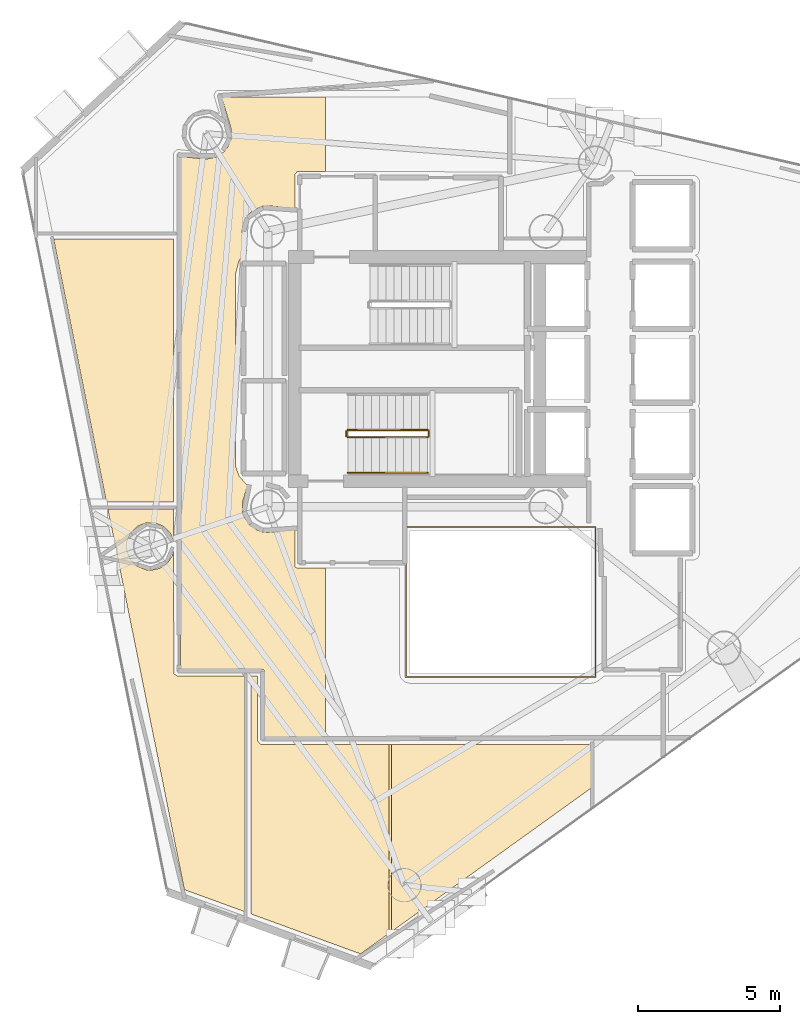
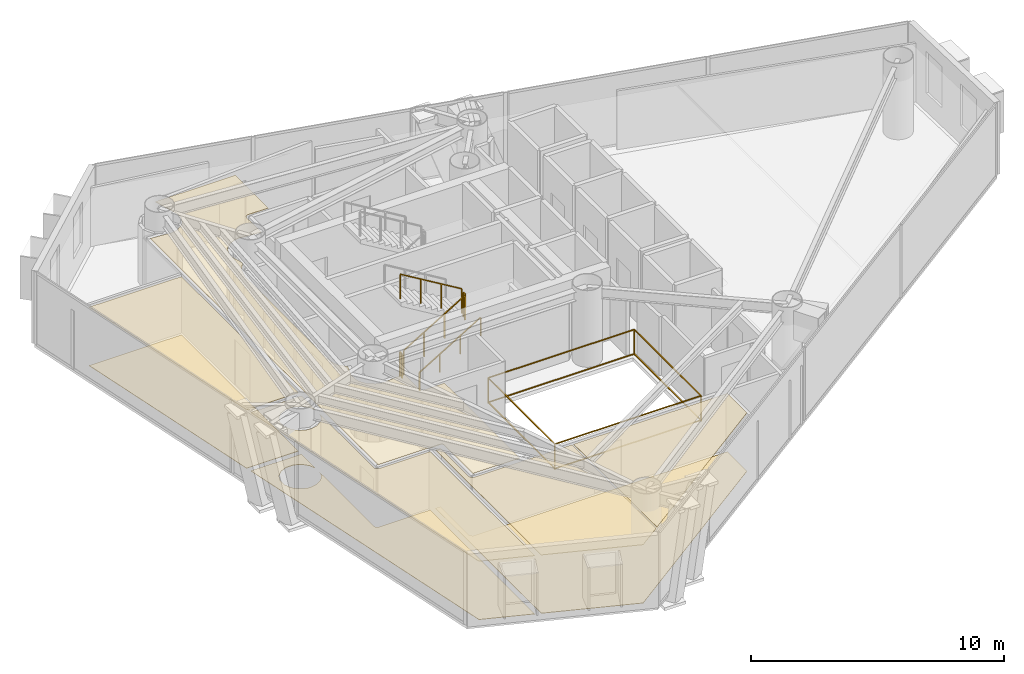
# One storey, part 20 of 22: 8 coverings, 6 railings.
"""IFC4 building model written with IfcOpenShell, lengths in metres."""

from ifc_helpers import new_model, si_unit, direction, frame, origin, origin_2d, place, context, subcontext, project, spatial, polyline, rectangle, outline, extrude, material, layer, layer_set, type_object, element, save


model = new_model("IFC4")

# Units and contexts
model_context = context("Model", 3, precision=1e-05, world=origin(), true_north=direction((0.0, 1.0)))
body_context = subcontext(model_context, "Body", "Model", "MODEL_VIEW")
ifc_project = project(units=[si_unit("LENGTHUNIT", "METRE"), si_unit("AREAUNIT", "SQUARE_METRE"), si_unit("VOLUMEUNIT", "CUBIC_METRE"), si_unit("PLANEANGLEUNIT", "RADIAN"), si_unit("MASSUNIT", "GRAM", prefix="KILO")], contexts=[model_context])

# Site, building, storey
site_placement = place(None, origin())
site = spatial("IfcSite", under=ifc_project, at=site_placement, CompositionType="ELEMENT")
building_placement = place(site_placement, origin())
building = spatial("IfcBuilding", under=site, at=building_placement, Name="Qianvela Tower", CompositionType="ELEMENT")
storey_placement = place(building_placement, frame((0.0, 0.0, 204.0)))
storey = spatial("IfcBuildingStorey", under=building, at=storey_placement, Name="L52", CompositionType="ELEMENT", Elevation=204.0)

# Coverings
ifc_material_1 = material(Name="Perforated Mineral Acoustic Ceiling Tile")
ifc_layer_1 = layer(ifc_material_1, 0.02490234375)
ifc_layer_set_1 = layer_set([ifc_layer_1], Name="Perforated Mineral Acoustic Ceiling Tile")
covering_type_1 = type_object("IfcCoveringType", Name="COV-CEIL-ACOUSTIC-25", PredefinedType="CEILING", material=ifc_layer_set_1)
covering_1_placement = place(storey_placement, frame((0.0, 0.0, 2.81494140625)))
element("IfcCovering", 1, at=covering_1_placement, inside=storey, type_object=covering_type_1, Name="L52 Acoustic Ceiling Bay 1 L52 Floor Corridor", PredefinedType="CEILING", context=body_context, shape_type="SweptSolid", body=[
    extrude(outline(polyline([(27.311767578125, 36.808837890625), (27.313720703125, 36.81640625), (27.31494140625, 36.82421875), (27.315185546875, 36.83203125), (27.315185546875, 37.152099609375), (27.31494140625, 37.159912109375), (27.313720703125, 37.16748046875), (27.311767578125, 37.17529296875), (26.979736328125, 38.27001953125), (30.634765625, 38.27001953125), (30.634765625, 35.658203125), (29.68798828125, 35.660888671875), (29.680419921875, 35.660400390625), (29.672607421875, 35.6591796875), (29.664794921875, 35.657470703125), (29.657470703125, 35.65478515625), (29.650390625, 35.6513671875), (29.6435546875, 35.6474609375), (29.63720703125, 35.642578125), (29.63134765625, 35.637451171875), (29.626220703125, 35.631591796875), (29.576171875, 35.57080078125), (29.571533203125, 35.564453125), (29.5673828125, 35.5576171875), (29.564208984375, 35.550537109375), (29.561279296875, 35.543212890625), (29.5595703125, 35.53564453125), (29.558349609375, 35.52783203125), (29.55810546875, 35.52001953125), (29.55810546875, 34.35595703125), (28.60791015625, 34.44970703125), (28.60009765625, 34.449951171875), (28.59228515625, 34.44970703125), (28.43212890625, 34.433837890625), (28.42431640625, 34.4326171875), (28.416748046875, 34.430908203125), (28.409423828125, 34.42822265625), (28.11376953125, 34.3056640625), (28.106689453125, 34.302490234375), (28.10009765625, 34.29833984375), (28.09375, 34.293701171875), (28.087890625, 34.288330078125), (27.861572265625, 34.06201171875), (27.8564453125, 34.056396484375), (27.851806640625, 34.050048828125), (27.84765625, 34.043212890625), (27.84423828125, 34.0361328125), (27.7216796875, 33.740478515625), (27.71923828125, 33.733154296875), (27.71728515625, 33.7255859375), (27.716064453125, 33.7177734375), (27.700439453125, 33.557861328125), (27.699951171875, 33.550048828125), (27.700439453125, 33.542236328125), (27.716064453125, 33.382080078125), (27.71728515625, 33.37451171875), (27.71923828125, 33.36669921875), (27.865478515625, 32.884521484375), (27.60107421875, 32.52685546875), (27.5966796875, 32.5205078125), (27.593017578125, 32.513427734375), (27.590087890625, 32.50634765625), (27.587890625, 32.4990234375), (27.472412109375, 32.0458984375), (27.47119140625, 32.039306640625), (27.47021484375, 32.03271484375), (27.469970703125, 32.026123046875), (27.469970703125, 25.291259765625), (27.47021484375, 25.2841796875), (27.47119140625, 25.27734375), (27.47265625, 25.2705078125), (27.474853515625, 25.263916015625), (27.59326171875, 24.938232421875), (27.59619140625, 24.93115234375), (27.599853515625, 24.92431640625), (27.604248046875, 24.91796875), (27.609130859375, 24.911865234375), (27.89111328125, 24.599853515625), (27.71923828125, 24.033203125), (27.71728515625, 24.025634765625), (27.716064453125, 24.017822265625), (27.7158203125, 24.010009765625), (27.7158203125, 23.68994140625), (27.716064453125, 23.68212890625), (27.71728515625, 23.67431640625), (27.71923828125, 23.666748046875), (27.765869140625, 23.512939453125), (27.7685546875, 23.505615234375), (27.77197265625, 23.49853515625), (27.77587890625, 23.49169921875), (27.95361328125, 23.2255859375), (27.958251953125, 23.219482421875), (27.963623046875, 23.213623046875), (27.969482421875, 23.208251953125), (27.9755859375, 23.20361328125), (28.24169921875, 23.02587890625), (28.24853515625, 23.02197265625), (28.255615234375, 23.0185546875), (28.262939453125, 23.015869140625), (28.416748046875, 22.96923828125), (28.42431640625, 22.96728515625), (28.43212890625, 22.966064453125), (28.59228515625, 22.950439453125), (28.60009765625, 22.949951171875), (28.60791015625, 22.950439453125), (29.55810546875, 23.0439453125), (29.55810546875, 21.780029296875), (29.558349609375, 21.772216796875), (29.5595703125, 21.764404296875), (29.561279296875, 21.7568359375), (29.564208984375, 21.74951171875), (29.5673828125, 21.7421875), (29.571533203125, 21.735595703125), (29.576171875, 21.729248046875), (29.581298828125, 21.723388671875), (29.587158203125, 21.71826171875), (29.593505859375, 21.71337890625), (29.600341796875, 21.70947265625), (29.607421875, 21.7060546875), (29.61474609375, 21.703369140625), (29.622314453125, 21.701416015625), (29.630126953125, 21.700439453125), (29.637939453125, 21.699951171875), (30.634765625, 21.699951171875), (30.634765625, 15.72998046875), (28.47998046875, 15.72998046875), (28.47998046875, 18.050048828125), (28.4794921875, 18.057861328125), (28.478515625, 18.065673828125), (28.4765625, 18.0732421875), (28.473876953125, 18.08056640625), (28.470703125, 18.087646484375), (28.466552734375, 18.094482421875), (28.4619140625, 18.100830078125), (28.45654296875, 18.106689453125), (28.45068359375, 18.11181640625), (28.4443359375, 18.116455078125), (28.437744140625, 18.12060546875), (28.4306640625, 18.123779296875), (28.423095703125, 18.126708984375), (28.41552734375, 18.12841796875), (28.40771484375, 18.129638671875), (28.39990234375, 18.1298828125), (25.530029296875, 18.1298828125), (25.530029296875, 36.180419921875), (26.423095703125, 36.09228515625), (26.430908203125, 36.092041015625), (26.438720703125, 36.09228515625), (26.446533203125, 36.093505859375), (26.760498046875, 36.156005859375), (26.76806640625, 36.157958984375), (26.775390625, 36.160400390625), (26.782470703125, 36.163818359375), (26.789306640625, 36.16796875), (27.055419921875, 36.345703125), (27.0615234375, 36.350341796875), (27.0673828125, 36.355712890625), (27.07275390625, 36.361328125), (27.174560546875, 36.485595703125), (27.17919921875, 36.491943359375), (27.183349609375, 36.498779296875), (27.186767578125, 36.505859375), (27.30908203125, 36.801513671875), (27.311767578125, 36.808837890625)])), origin(), (0.0, 0.0, 1.0), 0.025146484375),
])
covering_2_placement = place(storey_placement, frame((0.0, 0.0, 2.81494140625)))
element("IfcCovering", 2, at=covering_2_placement, inside=storey, type_object=covering_type_1, Name="L52 Acoustic Ceiling Digital Research Office L52-01", PredefinedType="CEILING", context=body_context, shape_type="SweptSolid", body=[
    extrude(outline(polyline([(25.291259765625, 22.706298828125), (25.264892578125, 22.7060546875), (25.177490234375, 22.913330078125), (25.17431640625, 22.92041015625), (25.17041015625, 22.927001953125), (25.165771484375, 22.93310546875), (25.160400390625, 22.938720703125), (24.95068359375, 23.1484375), (24.945068359375, 23.15380859375), (24.938720703125, 23.158447265625), (24.931884765625, 23.16259765625), (24.9248046875, 23.165771484375), (24.65087890625, 23.279296875), (24.6435546875, 23.281982421875), (24.635986328125, 23.283935546875), (24.628173828125, 23.284912109375), (24.620361328125, 23.285400390625), (24.32373046875, 23.285400390625), (24.31591796875, 23.284912109375), (24.30810546875, 23.283935546875), (24.300537109375, 23.281982421875), (24.293212890625, 23.279296875), (24.019287109375, 23.165771484375), (24.01220703125, 23.16259765625), (24.00537109375, 23.158447265625), (23.9990234375, 23.15380859375), (23.9931640625, 23.1484375), (23.783447265625, 22.938720703125), (23.7783203125, 22.93310546875), (23.773681640625, 22.9267578125), (23.76953125, 22.919921875), (23.76611328125, 22.912841796875), (23.652587890625, 22.638916015625), (23.64990234375, 22.631591796875), (23.648193359375, 22.623779296875), (23.64697265625, 22.6162109375), (23.646484375, 22.6083984375), (23.646484375, 22.311767578125), (23.64697265625, 22.303955078125), (23.648193359375, 22.296142578125), (23.64990234375, 22.28857421875), (23.652587890625, 22.281005859375), (23.76611328125, 22.007080078125), (23.76953125, 22.0), (23.773681640625, 21.993408203125), (23.7783203125, 21.987060546875), (23.783447265625, 21.981201171875), (23.9931640625, 21.771484375), (23.9990234375, 21.76611328125), (24.00537109375, 21.76171875), (24.01220703125, 21.757568359375), (24.019287109375, 21.754150390625), (24.293212890625, 21.640625), (24.300537109375, 21.637939453125), (24.30810546875, 21.635986328125), (24.31591796875, 21.635009765625), (24.464111328125, 21.620361328125), (24.471923828125, 21.6201171875), (24.479736328125, 21.620361328125), (24.487548828125, 21.62158203125), (24.7783203125, 21.679443359375), (24.7861328125, 21.681396484375), (24.79345703125, 21.683837890625), (24.800537109375, 21.687255859375), (24.807373046875, 21.69140625), (25.0537109375, 21.856201171875), (25.060302734375, 21.86083984375), (25.06591796875, 21.865966796875), (25.0712890625, 21.871826171875), (25.075927734375, 21.878173828125), (25.24072265625, 22.124755859375), (25.24462890625, 22.13134765625), (25.248046875, 22.138427734375), (25.25048828125, 22.145751953125), (25.25244140625, 22.1533203125), (25.29150390625, 22.344482421875), (25.296142578125, 18.019287109375), (25.29638671875, 18.011474609375), (25.297607421875, 18.003662109375), (25.299560546875, 17.99609375), (25.30224609375, 17.98876953125), (25.3056640625, 17.981689453125), (25.3095703125, 17.974853515625), (25.314208984375, 17.968505859375), (25.319580078125, 17.962890625), (25.3251953125, 17.95751953125), (25.33154296875, 17.952880859375), (25.405517578125, 17.903564453125), (25.412353515625, 17.8994140625), (25.41943359375, 17.89599609375), (25.4267578125, 17.893310546875), (25.434326171875, 17.8916015625), (25.442138671875, 17.890380859375), (25.449951171875, 17.889892578125), (27.778076171875, 17.889892578125), (27.778076171875, 9.604736328125), (25.66796875, 10.373779296875), (22.974853515625, 23.778076171875), (25.2900390625, 23.778076171875), (25.291259765625, 22.706298828125)])), origin(), (0.0, 0.0, 1.0), 0.025146484375),
])
covering_3_placement = place(storey_placement, frame((0.0, 0.0, 2.81494140625)))
element("IfcCovering", 3, at=covering_3_placement, inside=storey, type_object=covering_type_1, Name="L52 Acoustic Ceiling Quiet Reading Study L52-04", PredefinedType="CEILING", context=body_context, shape_type="SweptSolid", body=[
    extrude(outline(polyline([(25.2900390625, 33.278076171875), (25.2900390625, 24.02197265625), (22.92578125, 24.02197265625), (21.06640625, 33.278076171875), (25.2900390625, 33.278076171875)])), origin(), (0.0, 0.0, 1.0), 0.025146484375),
])
covering_4_placement = place(storey_placement, frame((0.0, 0.0, 2.81494140625)))
element("IfcCovering", 4, at=covering_4_placement, inside=storey, type_object=covering_type_1, Name="L52 Acoustic Ceiling Bay 1 Panoramic Study Lounge L52-05", PredefinedType="CEILING", context=body_context, shape_type="SweptSolid", body=[
    extrude(outline(polyline([(28.239990234375, 17.889892578125), (28.239990234375, 15.64990234375), (28.240478515625, 15.64208984375), (28.241455078125, 15.634521484375), (28.243408203125, 15.626708984375), (28.24609375, 15.619384765625), (28.24951171875, 15.6123046875), (28.25341796875, 15.605712890625), (28.25830078125, 15.59912109375), (28.322509765625, 15.520751953125), (28.327880859375, 15.514892578125), (28.33349609375, 15.509765625), (28.33984375, 15.5048828125), (28.3466796875, 15.5009765625), (28.353759765625, 15.49755859375), (28.361083984375, 15.4951171875), (28.368896484375, 15.4931640625), (28.37646484375, 15.491943359375), (28.384521484375, 15.491455078125), (32.87255859375, 15.490966796875), (32.87255859375, 8.83447265625), (31.86962890625, 8.11328125), (28.02197265625, 9.515625), (28.02197265625, 17.889892578125), (28.239990234375, 17.889892578125)])), origin(), (0.0, 0.0, 1.0), 0.025146484375),
])
covering_5_placement = place(storey_placement, frame((0.0, 0.0, 2.81494140625)))
element("IfcCovering", 5, at=covering_5_placement, inside=storey, type_object=covering_type_1, Name="L52 Acoustic Ceiling Bay 2 Panoramic Study Lounge L52-05", PredefinedType="CEILING", context=body_context, shape_type="SweptSolid", body=[
    extrude(outline(polyline([(39.97802734375, 15.489990234375), (39.97802734375, 13.942626953125), (32.952392578125, 8.891845703125), (32.952392578125, 15.490966796875), (39.97802734375, 15.489990234375)])), origin(), (0.0, 0.0, 1.0), 0.025146484375),
])
ifc_material_2 = material(Name="Engineered Acoustic Oak Timber Flooring", Category="wood")
ifc_layer_2 = layer(ifc_material_2, 0.02001953125)
ifc_layer_set_2 = layer_set([ifc_layer_2], Name="Engineered Acoustic Oak Timber Flooring")
covering_type_2 = type_object("IfcCoveringType", Name="COV-FLOOR-OAK-20", PredefinedType="FLOORING", material=ifc_layer_set_2)
covering_6_placement = place(storey_placement, origin())
element("IfcCovering", 6, at=covering_6_placement, inside=storey, type_object=covering_type_2, Name="L52 Finish Flooring Digital Research Office L52-01", PredefinedType="FLOORING", context=body_context, shape_type="SweptSolid", body=[
    extrude(outline(polyline([(25.291259765625, 22.706298828125), (25.264892578125, 22.7060546875), (25.177490234375, 22.913330078125), (25.17431640625, 22.92041015625), (25.17041015625, 22.927001953125), (25.165771484375, 22.93310546875), (25.160400390625, 22.938720703125), (24.95068359375, 23.1484375), (24.945068359375, 23.15380859375), (24.938720703125, 23.158447265625), (24.931884765625, 23.16259765625), (24.9248046875, 23.165771484375), (24.65087890625, 23.279296875), (24.6435546875, 23.281982421875), (24.635986328125, 23.283935546875), (24.628173828125, 23.284912109375), (24.620361328125, 23.285400390625), (24.32373046875, 23.285400390625), (24.31591796875, 23.284912109375), (24.30810546875, 23.283935546875), (24.300537109375, 23.281982421875), (24.293212890625, 23.279296875), (24.019287109375, 23.165771484375), (24.01220703125, 23.16259765625), (24.00537109375, 23.158447265625), (23.9990234375, 23.15380859375), (23.9931640625, 23.1484375), (23.783447265625, 22.938720703125), (23.7783203125, 22.93310546875), (23.773681640625, 22.9267578125), (23.76953125, 22.919921875), (23.76611328125, 22.912841796875), (23.652587890625, 22.638916015625), (23.64990234375, 22.631591796875), (23.648193359375, 22.623779296875), (23.64697265625, 22.6162109375), (23.646484375, 22.6083984375), (23.646484375, 22.311767578125), (23.64697265625, 22.303955078125), (23.648193359375, 22.296142578125), (23.64990234375, 22.28857421875), (23.652587890625, 22.281005859375), (23.76611328125, 22.007080078125), (23.76953125, 22.0), (23.773681640625, 21.993408203125), (23.7783203125, 21.987060546875), (23.783447265625, 21.981201171875), (23.9931640625, 21.771484375), (23.9990234375, 21.76611328125), (24.00537109375, 21.76171875), (24.01220703125, 21.757568359375), (24.019287109375, 21.754150390625), (24.293212890625, 21.640625), (24.300537109375, 21.637939453125), (24.30810546875, 21.635986328125), (24.31591796875, 21.635009765625), (24.464111328125, 21.620361328125), (24.471923828125, 21.6201171875), (24.479736328125, 21.620361328125), (24.487548828125, 21.62158203125), (24.7783203125, 21.679443359375), (24.7861328125, 21.681396484375), (24.79345703125, 21.683837890625), (24.800537109375, 21.687255859375), (24.807373046875, 21.69140625), (25.0537109375, 21.856201171875), (25.060302734375, 21.86083984375), (25.06591796875, 21.865966796875), (25.0712890625, 21.871826171875), (25.075927734375, 21.878173828125), (25.24072265625, 22.124755859375), (25.24462890625, 22.13134765625), (25.248046875, 22.138427734375), (25.25048828125, 22.145751953125), (25.25244140625, 22.1533203125), (25.29150390625, 22.344482421875), (25.296142578125, 18.019287109375), (25.29638671875, 18.011474609375), (25.297607421875, 18.003662109375), (25.299560546875, 17.99609375), (25.30224609375, 17.98876953125), (25.3056640625, 17.981689453125), (25.3095703125, 17.974853515625), (25.314208984375, 17.968505859375), (25.319580078125, 17.962890625), (25.3251953125, 17.95751953125), (25.33154296875, 17.952880859375), (25.405517578125, 17.903564453125), (25.412353515625, 17.8994140625), (25.41943359375, 17.89599609375), (25.4267578125, 17.893310546875), (25.434326171875, 17.8916015625), (25.442138671875, 17.890380859375), (25.449951171875, 17.889892578125), (27.778076171875, 17.889892578125), (27.778076171875, 9.604736328125), (25.66796875, 10.373779296875), (22.974853515625, 23.778076171875), (25.2900390625, 23.778076171875), (25.291259765625, 22.706298828125)])), origin(), (0.0, 0.0, 1.0), 0.02001953125),
])
covering_7_placement = place(storey_placement, origin())
element("IfcCovering", 7, at=covering_7_placement, inside=storey, type_object=covering_type_2, Name="L52 Finish Flooring Quiet Reading Study L52-04", PredefinedType="FLOORING", context=body_context, shape_type="SweptSolid", body=[
    extrude(outline(polyline([(25.2900390625, 33.278076171875), (25.2900390625, 24.02197265625), (22.92578125, 24.02197265625), (21.06640625, 33.278076171875), (25.2900390625, 33.278076171875)])), origin(), (0.0, 0.0, 1.0), 0.02001953125),
])
covering_8_placement = place(storey_placement, origin())
element("IfcCovering", 8, at=covering_8_placement, inside=storey, type_object=covering_type_2, Name="L52 Finish Flooring Panoramic Study Lounge L52-05", PredefinedType="FLOORING", context=body_context, shape_type="SweptSolid", body=[
    extrude(outline(polyline([(28.02197265625, 17.889892578125), (28.239990234375, 17.889892578125), (28.239990234375, 15.64990234375), (28.240478515625, 15.64208984375), (28.241455078125, 15.634521484375), (28.243408203125, 15.626708984375), (28.24609375, 15.619384765625), (28.24951171875, 15.6123046875), (28.25341796875, 15.605712890625), (28.25830078125, 15.59912109375), (28.322509765625, 15.520751953125), (28.327880859375, 15.514892578125), (28.33349609375, 15.509765625), (28.33984375, 15.5048828125), (28.3466796875, 15.5009765625), (28.353759765625, 15.49755859375), (28.361083984375, 15.4951171875), (28.368896484375, 15.4931640625), (28.37646484375, 15.491943359375), (28.384521484375, 15.491455078125), (39.97802734375, 15.489990234375), (39.97802734375, 13.942626953125), (31.86962890625, 8.11328125), (28.02197265625, 9.515625), (28.02197265625, 17.889892578125)])), origin(), (0.0, 0.0, 1.0), 0.02001953125),
])

# Railings
ifc_material_3 = material(Name="Laminated Safety Glass and Stainless Steel 316", Category="steel")
railing_type_1 = type_object("IfcRailingType", Name="RL-ATRIUM-GUARD-1250", PredefinedType="GUARDRAIL", material=ifc_material_3)
railing_1_placement = place(storey_placement, frame((33.4599609375, 17.860107421875, 0.0)))
element("IfcRailing", 9, at=railing_1_placement, inside=storey, type_object=railing_type_1, Name="L52 Atrium Edge Guardrail 1", PredefinedType="GUARDRAIL", context=body_context, shape_type="SweptSolid", body=[
    extrude(rectangle(XDim=0.050048828125, YDim=0.0400390625, at=origin_2d()), frame((0.0, 0.0, 1.22998046875), z_axis=(0.0, 1.0, 0.0), x_axis=(-1.0, 0.0, 0.0)), (0.0, 0.0, 1.0), 5.27978515625),
    extrude(rectangle(XDim=0.050048828125, YDim=0.0400390625, at=origin_2d()), frame((0.0, 0.0, 0.050048828125), z_axis=(0.0, 1.0, 0.0), x_axis=(-1.0, 0.0, 0.0)), (0.0, 0.0, 1.0), 5.27978515625),
    extrude(rectangle(XDim=0.050048828125, YDim=0.0400390625, at=origin_2d()), frame((0.0, 5.27978515625, 1.22998046875), z_axis=(1.0, 0.0, 0.0), x_axis=(0.0, 1.0, 0.0)), (0.0, 0.0, 1.0), 6.679931640625),
    extrude(rectangle(XDim=0.050048828125, YDim=0.0400390625, at=origin_2d()), frame((0.0, 5.27978515625, 0.050048828125), z_axis=(1.0, 0.0, 0.0), x_axis=(0.0, 1.0, 0.0)), (0.0, 0.0, 1.0), 6.679931640625),
    extrude(rectangle(XDim=0.050048828125, YDim=0.0400390625, at=origin_2d()), frame((6.679931640625, 5.27978515625, 1.22998046875), z_axis=(0.0, -1.0, 0.0), x_axis=(1.0, 0.0, 0.0)), (0.0, 0.0, 1.0), 5.27978515625),
    extrude(rectangle(XDim=0.050048828125, YDim=0.0400390625, at=origin_2d()), frame((6.679931640625, 5.27978515625, 0.050048828125), z_axis=(0.0, -1.0, 0.0), x_axis=(1.0, 0.0, 0.0)), (0.0, 0.0, 1.0), 5.27978515625),
    extrude(rectangle(XDim=0.050048828125, YDim=0.0400390625, at=origin_2d()), frame((6.679931640625, 0.0, 1.22998046875), z_axis=(-1.0, 0.0, 0.0), x_axis=(0.0, -1.0, 0.0)), (0.0, 0.0, 1.0), 6.679931640625),
    extrude(rectangle(XDim=0.050048828125, YDim=0.0400390625, at=origin_2d()), frame((6.679931640625, 0.0, 0.050048828125), z_axis=(-1.0, 0.0, 0.0), x_axis=(0.0, -1.0, 0.0)), (0.0, 0.0, 1.0), 6.679931640625),
    extrude(rectangle(XDim=0.050048828125, YDim=0.050048828125, at=origin_2d()), origin(), (0.0, 0.0, 1.0), 1.2099609375),
    extrude(rectangle(XDim=0.050048828125, YDim=0.050048828125, at=origin_2d()), frame((0.0, 5.27978515625, 0.0)), (0.0, 0.0, 1.0), 1.2099609375),
    extrude(rectangle(XDim=0.050048828125, YDim=0.050048828125, at=origin_2d()), frame((6.679931640625, 5.27978515625, 0.0)), (0.0, 0.0, 1.0), 1.2099609375),
    extrude(rectangle(XDim=0.050048828125, YDim=0.050048828125, at=origin_2d()), frame((6.679931640625, 0.0, 0.0)), (0.0, 0.0, 1.0), 1.2099609375),
])
ifc_material_4 = material(Name="Painted Tubular Steel Q355B", Category="steel")
railing_type_2 = type_object("IfcRailingType", Name="RL-STAIR-GUARD-1200", PredefinedType="GUARDRAIL", material=ifc_material_4)
railing_2_placement = place(storey_placement, frame((31.419921875, 26.300048828125, 0.168212890625)))
element("IfcRailing", 10, at=railing_2_placement, inside=storey, type_object=railing_type_2, Name="L52 ST-2 stair guard 1", PredefinedType="GUARDRAIL", context=body_context, shape_type="SweptSolid", body=[
    extrude(rectangle(XDim=0.050048828125, YDim=0.0400390625, at=origin_2d()), frame((0.0, 0.0, 1.179931640625), z_axis=(0.857242210791, 0.0, 0.514913383045), x_axis=(0.0, 1.0, 0.0)), (0.0, 0.0, 1.0), 3.266357421875),
    extrude(rectangle(XDim=0.050048828125, YDim=0.050048828125, at=origin_2d()), origin(), (0.0, 0.0, 1.0), 1.159912109375),
    extrude(rectangle(XDim=0.050048828125, YDim=0.050048828125, at=origin_2d()), frame((0.933349609375, 0.0, 0.560546875)), (0.0, 0.0, 1.0), 1.159912109375),
    extrude(rectangle(XDim=0.050048828125, YDim=0.050048828125, at=origin_2d()), frame((1.86669921875, 0.0, 1.121337890625)), (0.0, 0.0, 1.0), 1.159912109375),
    extrude(rectangle(XDim=0.050048828125, YDim=0.050048828125, at=origin_2d()), frame((2.800048828125, 0.0, 1.681884765625)), (0.0, 0.0, 1.0), 1.159912109375),
])
railing_3_placement = place(storey_placement, frame((34.27001953125, 26.35009765625, 1.85009765625)))
element("IfcRailing", 11, at=railing_3_placement, inside=storey, type_object=railing_type_2, Name="L52 ST-2 stair guard 2", PredefinedType="GUARDRAIL", context=body_context, shape_type="SweptSolid", body=[
    extrude(rectangle(XDim=0.050048828125, YDim=0.0400390625, at=origin_2d()), frame((0.0, 0.0, 1.179931640625), z_axis=(0.0, 1.0, 0.0), x_axis=(-1.0, 0.0, 0.0)), (0.0, 0.0, 1.0), 0.159912109375),
    extrude(rectangle(XDim=0.050048828125, YDim=0.050048828125, at=origin_2d()), origin(), (0.0, 0.0, 1.0), 1.159912109375),
    extrude(rectangle(XDim=0.050048828125, YDim=0.050048828125, at=origin_2d()), frame((0.0, 0.159912109375, 0.0)), (0.0, 0.0, 1.0), 1.159912109375),
])
railing_4_placement = place(storey_placement, frame((34.219970703125, 26.56005859375, 2.01806640625)))
element("IfcRailing", 12, at=railing_4_placement, inside=storey, type_object=railing_type_2, Name="L52 ST-2 stair guard 3", PredefinedType="GUARDRAIL", context=body_context, shape_type="SweptSolid", body=[
    extrude(rectangle(XDim=0.050048828125, YDim=0.0400390625, at=origin_2d()), frame((0.0, 0.0, 1.179931640625), z_axis=(-0.857242210791, 0.0, 0.514913383045), x_axis=(0.0, -1.0, 0.0)), (0.0, 0.0, 1.0), 3.266357421875),
    extrude(rectangle(XDim=0.050048828125, YDim=0.050048828125, at=origin_2d()), origin(), (0.0, 0.0, 1.0), 1.159912109375),
    extrude(rectangle(XDim=0.050048828125, YDim=0.050048828125, at=origin_2d()), frame((-0.933349609375, 0.0, 0.560546875)), (0.0, 0.0, 1.0), 1.159912109375),
    extrude(rectangle(XDim=0.050048828125, YDim=0.050048828125, at=origin_2d()), frame((-1.86669921875, 0.0, 1.121337890625)), (0.0, 0.0, 1.0), 1.159912109375),
    extrude(rectangle(XDim=0.050048828125, YDim=0.050048828125, at=origin_2d()), frame((-2.800048828125, 0.0, 1.681884765625)), (0.0, 0.0, 1.0), 1.159912109375),
])
railing_5_placement = place(storey_placement, frame((31.3701171875, 26.35009765625, 0.0)))
element("IfcRailing", 13, at=railing_5_placement, inside=storey, type_object=railing_type_2, Name="L52 ST-2 stair guard 4", PredefinedType="GUARDRAIL", context=body_context, shape_type="SweptSolid", body=[
    extrude(rectangle(XDim=0.050048828125, YDim=0.0400390625, at=origin_2d()), frame((0.0, 0.0, 1.179931640625), z_axis=(0.0, 1.0, 0.0), x_axis=(-1.0, 0.0, 0.0)), (0.0, 0.0, 1.0), 0.159912109375),
    extrude(rectangle(XDim=0.050048828125, YDim=0.050048828125, at=origin_2d()), origin(), (0.0, 0.0, 1.0), 1.159912109375),
    extrude(rectangle(XDim=0.050048828125, YDim=0.050048828125, at=origin_2d()), frame((0.0, 0.159912109375, 0.0)), (0.0, 0.0, 1.0), 1.159912109375),
])
ifc_material_5 = material(Name="Brushed Stainless Steel 304", Category="steel")
railing_type_3 = type_object("IfcRailingType", Name="RL-STAIR-HANDRAIL-900", PredefinedType="HANDRAIL", material=ifc_material_5)
railing_6_placement = place(storey_placement, frame((31.419921875, 25.050048828125, 0.168212890625)))
element("IfcRailing", 14, at=railing_6_placement, inside=storey, type_object=railing_type_3, Name="L52 ST-2 stair handrail 1", PredefinedType="HANDRAIL", context=body_context, shape_type="SweptSolid", body=[
    extrude(rectangle(XDim=0.050048828125, YDim=0.0400390625, at=origin_2d()), frame((0.0, 0.0, 0.8798828125), z_axis=(0.857242210791, 0.0, 0.514913383045), x_axis=(0.0, 1.0, 0.0)), (0.0, 0.0, 1.0), 3.266357421875),
    extrude(rectangle(XDim=0.050048828125, YDim=0.050048828125, at=origin_2d()), origin(), (0.0, 0.0, 1.0), 0.85986328125),
    extrude(rectangle(XDim=0.050048828125, YDim=0.050048828125, at=origin_2d()), frame((0.933349609375, 0.0, 0.560546875)), (0.0, 0.0, 1.0), 0.85986328125),
    extrude(rectangle(XDim=0.050048828125, YDim=0.050048828125, at=origin_2d()), frame((1.86669921875, 0.0, 1.121337890625)), (0.0, 0.0, 1.0), 0.85986328125),
    extrude(rectangle(XDim=0.050048828125, YDim=0.050048828125, at=origin_2d()), frame((2.800048828125, 0.0, 1.681884765625)), (0.0, 0.0, 1.0), 0.85986328125),
])

save(model, "model.ifc")
